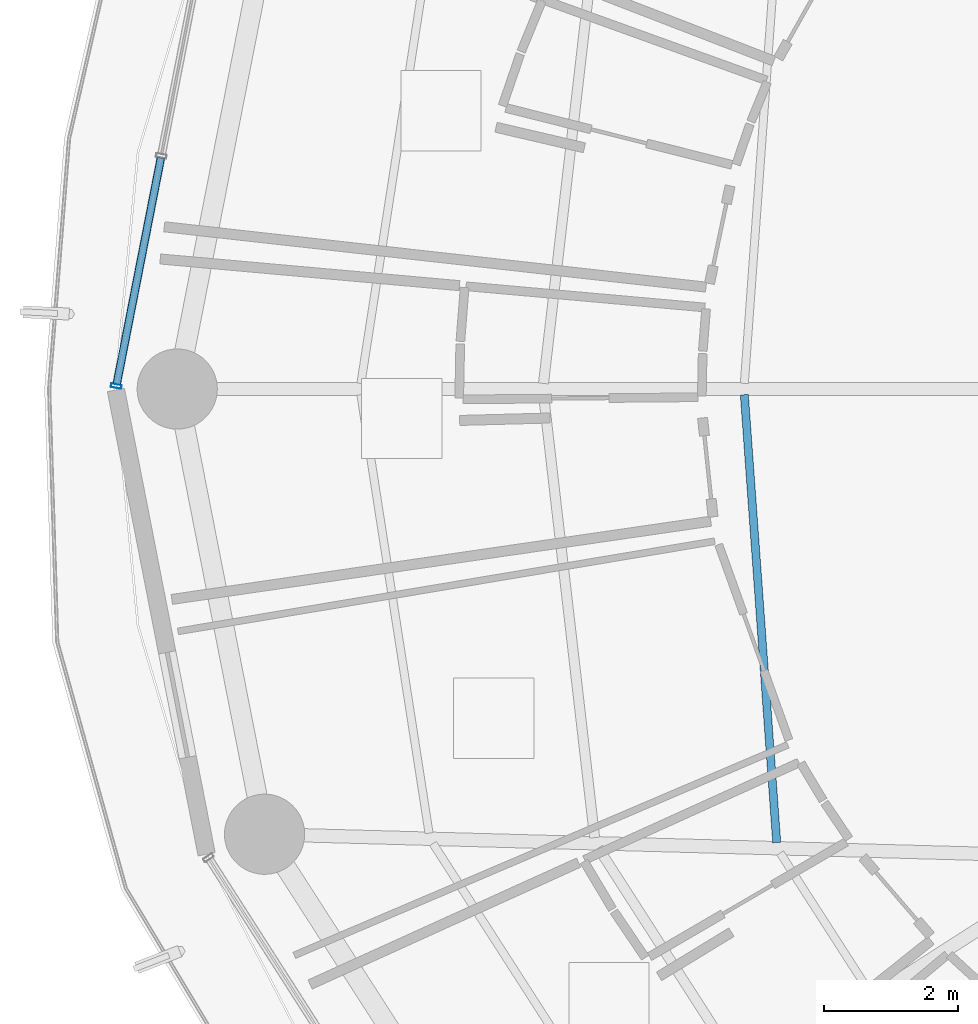
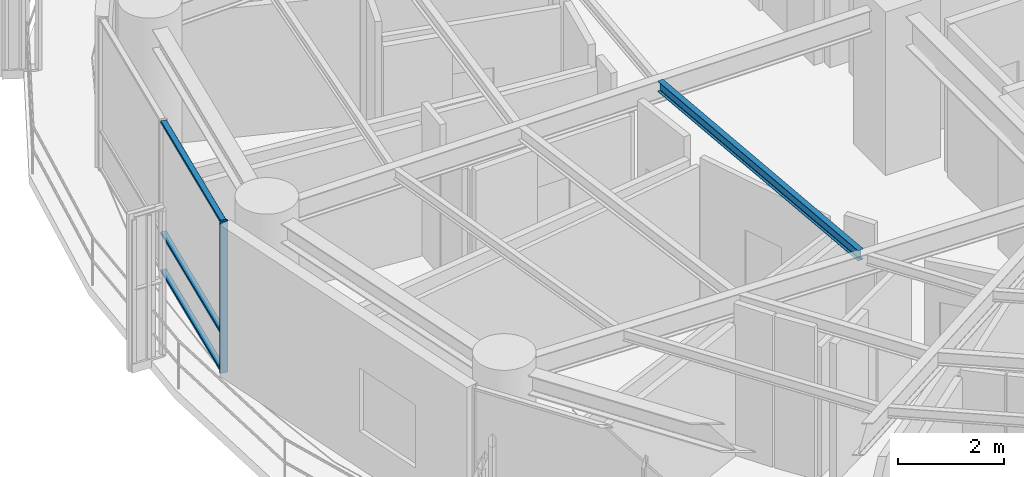
# One storey, part 6 of 27: 4 members, 1 beam, 1 element without a shape of its own.
"""IFC4 building model written with IfcOpenShell, lengths in metres."""

from ifc_helpers import new_model, si_unit, direction, frame, origin, origin_2d, place, context, subcontext, project, spatial, hollow_rectangle, i_section, extrude, material, layer, layer_set, material_profile, profile_set, type_object, element, aggregate, save


model = new_model("IFC4")

# Units and contexts
model_context = context("Model", 3, precision=1e-05, world=origin(), true_north=direction((0.0, 1.0)))
body_context = subcontext(model_context, "Body", "Model", "MODEL_VIEW")
ifc_project = project(units=[si_unit("LENGTHUNIT", "METRE"), si_unit("AREAUNIT", "SQUARE_METRE"), si_unit("VOLUMEUNIT", "CUBIC_METRE"), si_unit("PLANEANGLEUNIT", "RADIAN"), si_unit("MASSUNIT", "GRAM", prefix="KILO")], contexts=[model_context])

# Site, building, storey
site_placement = place(None, origin())
site = spatial("IfcSite", under=ifc_project, at=site_placement, CompositionType="ELEMENT")
building_placement = place(site_placement, origin())
building = spatial("IfcBuilding", under=site, at=building_placement, Name="Kelanora Arch Commons", CompositionType="ELEMENT")
storey_placement = place(building_placement, frame((0.0, 0.0, 173.10009765625)))
storey = spatial("IfcBuildingStorey", under=building, at=storey_placement, Name="L44", CompositionType="ELEMENT", Elevation=173.10009765625)

# Beam
ifc_material_1 = material(Name="Steel S355", Category="steel")
ifc_material_profile_1 = material_profile(ifc_material_1, i_section(OverallWidth=0.1201171875, OverallDepth=0.239990234375, WebThickness=0.006103515625, FlangeThickness=0.009765625, FilletRadius=0.014892578125, at=origin_2d()), Name="IPE240")
ifc_profile_set_1 = profile_set([ifc_material_profile_1], Name="Steel S355")
beam_type = type_object("IfcBeamType", Name="BM-JST-02", PredefinedType="JOIST", material=ifc_profile_set_1)
beam_placement = place(storey_placement, frame((60.8076171875, 57.915283203125, 3.369873046875), z_axis=(0.072117123738, -0.997396170267, 0.0), x_axis=(0.997396170267, 0.072117123738, 0.0)))
element("IfcBeam", 1, at=beam_placement, inside=storey, type_object=beam_type, Name="Secondary Chord Joist BJA-18 L44", PredefinedType="JOIST", context=body_context, shape_type="SweptSolid", body=[
    extrude(i_section(OverallWidth=0.1201171875, OverallDepth=0.239990234375, WebThickness=0.006103515625, FlangeThickness=0.009765625, FilletRadius=0.014892578125, at=origin_2d()), origin(), (0.0, 0.0, 1.0), 6.719970703125),
])

# Curtain wall, members
ifc_material_2 = material(Name="Terracotta ceramic-fritted low-E glass and aluminium", Category="masonry")
ifc_layer = layer(ifc_material_2, 0.175048828125)
ifc_layer_set = layer_set([ifc_layer], Name="Terracotta ceramic-fritted low-E glass and aluminium")
curtain_wall_type = type_object("IfcCurtainWallType", Name="CW-SYS-02", PredefinedType="NOTDEFINED", material=ifc_layer_set)
curtain_wall_placement = place(storey_placement, origin())
curtain_wall = element("IfcCurtainWall", 2, at=curtain_wall_placement, inside=storey, type_object=curtain_wall_type, Name="Unitised Curtain Wall L44-B08", PredefinedType="NOTDEFINED")
ifc_material_3 = material(Name="Powder-coated aluminium terracotta", Category="masonry")
ifc_material_profile_2 = material_profile(ifc_material_3, hollow_rectangle(XDim=0.159912109375, YDim=0.06005859375, WallThickness=0.0048828125, InnerFilletRadius=0.0048828125, OuterFilletRadius=0.010009765625, at=origin_2d()), Name="CWM160x60")
ifc_profile_set_2 = profile_set([ifc_material_profile_2], Name="Powder-coated aluminium terracotta")
member_type_1 = type_object("IfcMemberType", Name="CWM-STD", PredefinedType="MULLION", material=ifc_profile_set_2)
member_1_placement = place(storey_placement, frame((51.40869140625, 58.044189453125, 0.0), z_axis=(0.0, 0.0, 1.0), x_axis=(0.981452557718, -0.191705182375, 0.0)))
member_1 = element("IfcMember", 3, at=member_1_placement, type_object=member_type_1, Name="CW-02 mullion 3", PredefinedType="MULLION", context=body_context, shape_type="SweptSolid", body=[
    extrude(hollow_rectangle(XDim=0.159912109375, YDim=0.06005859375, WallThickness=0.0048828125, InnerFilletRadius=0.0048828125, OuterFilletRadius=0.010009765625, at=origin_2d()), origin(), (0.0, 0.0, 1.0), 3.474853515625),
])
ifc_material_profile_3 = material_profile(ifc_material_3, hollow_rectangle(XDim=0.1201171875, YDim=0.06005859375, WallThickness=0.0048828125, InnerFilletRadius=0.0048828125, OuterFilletRadius=0.010009765625, at=origin_2d()), Name="CWT120x60")
ifc_profile_set_3 = profile_set([ifc_material_profile_3], Name="Powder-coated aluminium terracotta")
member_type_2 = type_object("IfcMemberType", Name="CWT-STD", PredefinedType="USERDEFINED", material=ifc_profile_set_3)
member_2_placement = place(storey_placement, frame((52.07568359375, 61.459228515625, 0.02978515625), z_axis=(-0.191718206447, -0.981450013662, 0.0), x_axis=(0.981450013662, -0.191718206447, 0.0)))
member_2 = element("IfcMember", 4, at=member_2_placement, type_object=member_type_2, Name="CW-02 transom 2.1", ObjectType="TRANSOM", PredefinedType="USERDEFINED", context=body_context, shape_type="SweptSolid", body=[
    extrude(hollow_rectangle(XDim=0.1201171875, YDim=0.06005859375, WallThickness=0.0048828125, InnerFilletRadius=0.0048828125, OuterFilletRadius=0.010009765625, at=origin_2d()), origin(), (0.0, 0.0, 1.0), 3.44970703125),
])
member_3_placement = place(storey_placement, frame((52.07568359375, 61.459228515625, 0.89990234375), z_axis=(-0.191718206447, -0.981450013662, 0.0), x_axis=(0.981450013662, -0.191718206447, 0.0)))
member_3 = element("IfcMember", 5, at=member_3_placement, type_object=member_type_2, Name="CW-02 transom 2.2", ObjectType="TRANSOM", PredefinedType="USERDEFINED", context=body_context, shape_type="SweptSolid", body=[
    extrude(hollow_rectangle(XDim=0.1201171875, YDim=0.06005859375, WallThickness=0.0048828125, InnerFilletRadius=0.0048828125, OuterFilletRadius=0.010009765625, at=origin_2d()), origin(), (0.0, 0.0, 1.0), 3.44970703125),
])
member_4_placement = place(storey_placement, frame((52.07568359375, 61.459228515625, 3.44482421875), z_axis=(-0.191718206447, -0.981450013662, 0.0), x_axis=(0.981450013662, -0.191718206447, 0.0)))
member_4 = element("IfcMember", 6, at=member_4_placement, type_object=member_type_2, Name="CW-02 transom 2.3", ObjectType="TRANSOM", PredefinedType="USERDEFINED", context=body_context, shape_type="SweptSolid", body=[
    extrude(hollow_rectangle(XDim=0.1201171875, YDim=0.06005859375, WallThickness=0.0048828125, InnerFilletRadius=0.0048828125, OuterFilletRadius=0.010009765625, at=origin_2d()), origin(), (0.0, 0.0, 1.0), 3.44970703125),
])
aggregate(curtain_wall, [member_1, member_2, member_3, member_4])

save(model, "model.ifc")
